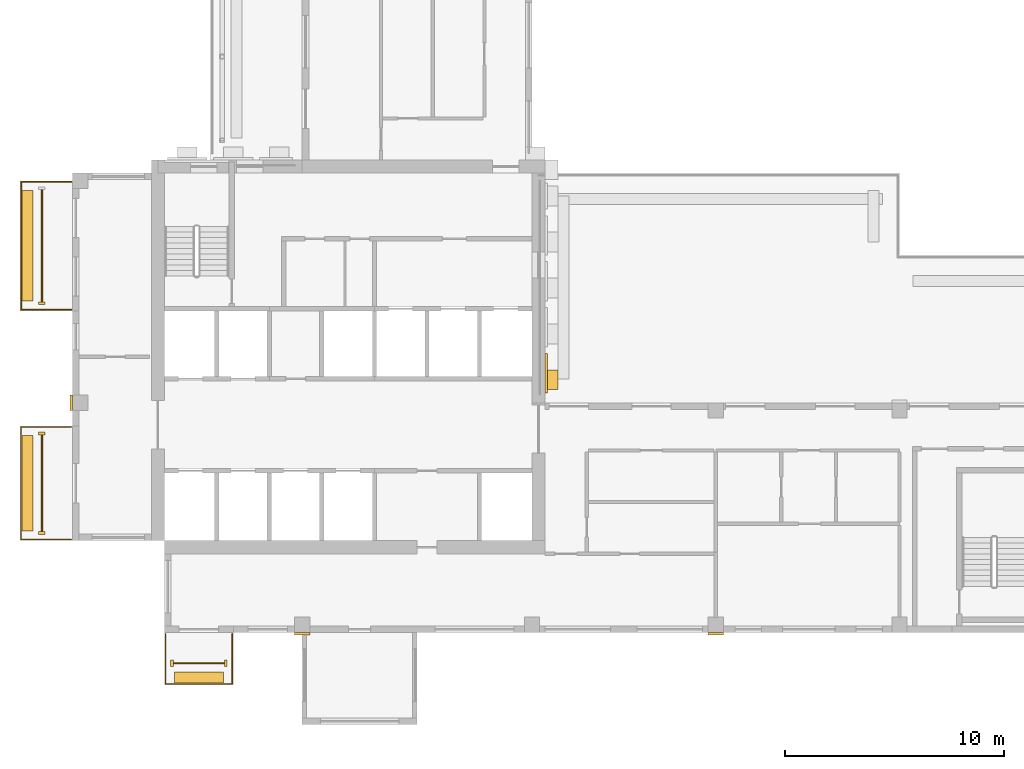
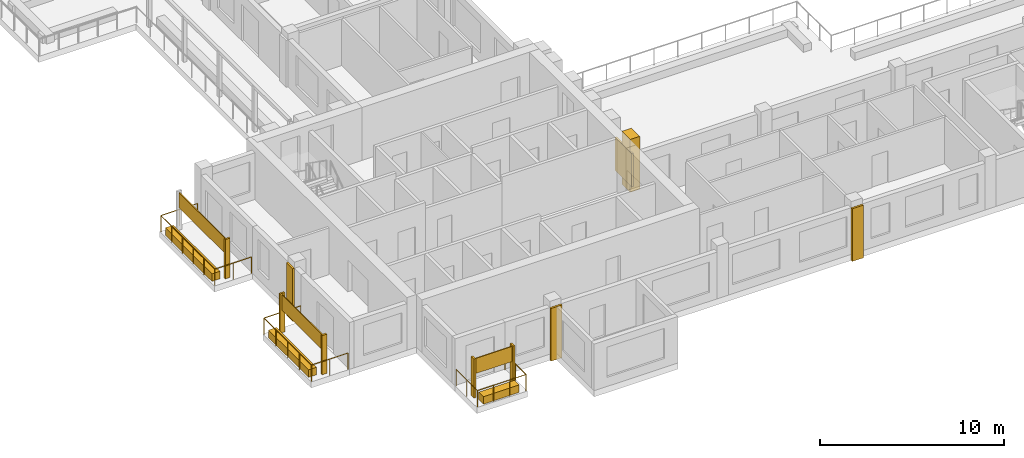
# One storey, part 8 of 12: 16 coverings, 3 railings.
"""IFC4 building model written with IfcOpenShell, lengths in metres."""

from ifc_helpers import new_model, si_unit, direction, frame, origin, origin_2d, place, context, subcontext, project, spatial, rectangle, circle, extrude, source, transform, mapped, material, type_object, element, save


model = new_model("IFC4")

# Units and contexts
model_context = context("Model", 3, precision=1e-05, world=origin(), true_north=direction((0.0, 1.0)))
body_context = subcontext(model_context, "Body", "Model", "MODEL_VIEW")
ifc_project = project(units=[si_unit("LENGTHUNIT", "METRE"), si_unit("AREAUNIT", "SQUARE_METRE"), si_unit("VOLUMEUNIT", "CUBIC_METRE"), si_unit("PLANEANGLEUNIT", "RADIAN"), si_unit("MASSUNIT", "GRAM", prefix="KILO")], contexts=[model_context])

# Site, building, storey
site_placement = place(None, origin())
site = spatial("IfcSite", under=ifc_project, at=site_placement, CompositionType="ELEMENT")
building_placement = place(site_placement, origin())
building = spatial("IfcBuilding", under=site, at=building_placement, Name="Aurelian Terraces", CompositionType="ELEMENT")
storey_placement = place(building_placement, frame((0.0, 0.0, 284.5)))
storey = spatial("IfcBuildingStorey", under=building, at=storey_placement, Name="L64", CompositionType="ELEMENT", Elevation=284.5)

# Coverings
ifc_material_1 = material(Name="Terracotta rainscreen cladding relief", Category="masonry")
covering_type_1 = type_object("IfcCoveringType", Name="BAGUETTE-TC", PredefinedType="CLADDING", material=ifc_material_1)
covering_1_placement = place(storey_placement, frame((10.5, -0.06, -0.4), z_axis=(0.0, 0.0, 1.0), x_axis=(1.0, 0.0, 0.0)))
element("IfcCovering", 1, at=covering_1_placement, inside=storey, type_object=covering_type_1, Name="BAGUETTE pier L64 1", PredefinedType="CLADDING", context=body_context, shape_type="SweptSolid", body=[
    extrude(rectangle(XDim=0.7, YDim=0.12, at=origin_2d()), origin(), (0.0, 0.0, 1.0), 3.5),
])
covering_2_placement = place(storey_placement, frame((-0.06, 10.5, -0.4), z_axis=(0.0, 0.0, 1.0), x_axis=(1.0, 0.0, 0.0)))
element("IfcCovering", 2, at=covering_2_placement, inside=storey, type_object=covering_type_1, Name="BAGUETTE pier L64 5", PredefinedType="CLADDING", context=body_context, shape_type="SweptSolid", body=[
    extrude(rectangle(XDim=0.12, YDim=0.7, at=origin_2d()), origin(), (0.0, 0.0, 1.0), 3.5),
])
covering_type_2 = type_object("IfcCoveringType", Name="Core spine pier 900x600", PredefinedType="CLADDING", material=ifc_material_1)
covering_3_placement = place(storey_placement, frame((21.9, 11.55, 0.0), z_axis=(0.0, 0.0, 1.0), x_axis=(1.0, 0.0, 0.0)))
element("IfcCovering", 3, at=covering_3_placement, inside=storey, type_object=covering_type_2, Name="Spine pier L64 E1", PredefinedType="CLADDING", context=body_context, shape_type="SweptSolid", body=[
    extrude(rectangle(XDim=0.6, YDim=0.9, at=origin_2d()), origin(), (0.0, 0.0, 1.0), 3.5),
])

# Railing
ifc_material_2 = material(Name="Anodised aluminium", Category="aluminium")
railing_type = type_object("IfcRailingType", Name="GUARD-1100", PredefinedType="GUARDRAIL", material=ifc_material_2)
railing_1_placement = place(storey_placement, frame((-0.05, 20.6, 0.0)))
element("IfcRailing", 4, at=railing_1_placement, inside=storey, type_object=railing_type, Name="Balcony guard L64 F12.21", PredefinedType="GUARDRAIL", context=body_context, shape_type="SweptSolid", body=[
    extrude(circle(Radius=0.024, at=origin_2d()), frame((0.0, 0.0, 1.076), z_axis=(-1.0, 0.0, 0.0), x_axis=(0.0, -1.0, 0.0)), (0.0, 0.0, 1.0), 2.3),
    extrude(circle(Radius=0.024, at=origin_2d()), frame((-2.3, 0.0, 1.076), z_axis=(0.0, -1.0, 0.0), x_axis=(1.0, 0.0, 0.0)), (0.0, 0.0, 1.0), 5.85),
    extrude(circle(Radius=0.024, at=origin_2d()), frame((-2.3, -5.85, 1.076), z_axis=(1.0, 0.0, 0.0), x_axis=(0.0, 1.0, 0.0)), (0.0, 0.0, 1.0), 2.3),
    extrude(circle(Radius=0.021, at=origin_2d()), origin(), (0.0, 0.0, 1.0), 1.052),
    extrude(circle(Radius=0.021, at=origin_2d()), frame((-1.15, 0.0, 0.0)), (0.0, 0.0, 1.0), 1.052),
    extrude(circle(Radius=0.021, at=origin_2d()), frame((-2.3, 0.0, 0.0)), (0.0, 0.0, 1.0), 1.052),
    extrude(circle(Radius=0.021, at=origin_2d()), frame((-2.3, -1.17, 0.0)), (0.0, 0.0, 1.0), 1.052),
    extrude(circle(Radius=0.021, at=origin_2d()), frame((-2.3, -2.34, 0.0)), (0.0, 0.0, 1.0), 1.052),
    extrude(circle(Radius=0.021, at=origin_2d()), frame((-2.3, -3.51, 0.0)), (0.0, 0.0, 1.0), 1.052),
    extrude(circle(Radius=0.021, at=origin_2d()), frame((-2.3, -4.68, 0.0)), (0.0, 0.0, 1.0), 1.052),
    extrude(circle(Radius=0.021, at=origin_2d()), frame((-2.3, -5.85, 0.0)), (0.0, 0.0, 1.0), 1.052),
    extrude(circle(Radius=0.021, at=origin_2d()), frame((-1.15, -5.85, 0.0)), (0.0, 0.0, 1.0), 1.052),
    extrude(circle(Radius=0.021, at=origin_2d()), frame((0.0, -5.85, 0.0)), (0.0, 0.0, 1.0), 1.052),
])

# Coverings
ifc_material_3 = material(Name="Terracotta rainscreen cladding louvre blades", Category="masonry")
covering_type_3 = type_object("IfcCoveringType", Name="LOUVRE-TC", PredefinedType="CLADDING", material=ifc_material_3)
covering_4_placement = place(storey_placement, frame((21.66, 11.85, 0.45), z_axis=(0.0, 0.0, 1.0), x_axis=(1.0, 0.0, 0.0)))
element("IfcCovering", 5, at=covering_4_placement, inside=storey, type_object=covering_type_3, Name="LOUVRE L64 core face E.1", PredefinedType="CLADDING", context=body_context, shape_type="SweptSolid", body=[
    extrude(rectangle(XDim=0.12, YDim=1.8, at=origin_2d()), origin(), (0.0, 0.0, 1.0), 2.2),
])
ifc_material_4 = material(Name="Terracotta planter with planting soil", Category="masonry")
covering_type_4 = type_object("IfcCoveringType", Name="PLANTER-TROUGH", PredefinedType="USERDEFINED", material=ifc_material_4)
covering_5_placement = place(storey_placement, frame((-2.05, 17.675, 0.0), z_axis=(0.0, 0.0, 1.0), x_axis=(1.0, 0.0, 0.0)))
element("IfcCovering", 6, at=covering_5_placement, inside=storey, type_object=covering_type_4, Name="PLANTER L64 L64-F12-21", ObjectType="PLANTER", PredefinedType="USERDEFINED", context=body_context, shape_type="SweptSolid", body=[
    extrude(rectangle(XDim=0.5, YDim=5.05, at=origin_2d()), origin(), (0.0, 0.0, 1.0), 0.5),
])
ifc_material_5 = material(Name="Terracotta rainscreen cladding", Category="masonry")
covering_type_5 = type_object("IfcCoveringType", Name="SCREEN-TC", PredefinedType="CLADDING", material=ifc_material_5)
covering_6_placement = place(storey_placement, frame((-1.4, 17.675, 1.5), z_axis=(0.0, 0.0, 1.0), x_axis=(1.0, 0.0, 0.0)))
element("IfcCovering", 7, at=covering_6_placement, inside=storey, type_object=covering_type_5, Name="SCREEN L64 L64-F12-21", PredefinedType="CLADDING", context=body_context, shape_type="SweptSolid", body=[
    extrude(rectangle(XDim=0.06, YDim=5.13, at=origin_2d()), origin(), (0.0, 0.0, 1.0), 1.0),
])
covering_type_6 = type_object("IfcCoveringType", Name="FIN-TC", PredefinedType="CLADDING", material=ifc_material_1)
shared_shape_1 = source(origin(), body_context, "Body", "SweptSolid", [
    extrude(rectangle(XDim=0.3, YDim=0.12, at=origin_2d()), origin(), (0.0, 0.0, 1.0), 2.6),
])
for number, where, z_axis, x_axis, name in (
    (8, (-1.4, 15.05, 0.0), (0.0, 0.0, 1.0), (1.0, 0.0, 0.0), "FIN L64 L64-F12-21.2"),
    (9, (-1.4, 9.1, 0.0), (0.0, 0.0, 1.0), (1.0, 0.0, 0.0), "FIN L64 L64-F12-23.1"),
    (10, (-1.4, 4.55, 0.0), (0.0, 0.0, 1.0), (1.0, 0.0, 0.0), "FIN L64 L64-F12-23.2"),
):
    element("IfcCovering", number, at=place(storey_placement, frame(where, z_axis=z_axis, x_axis=x_axis)), inside=storey, type_object=covering_type_6, Name=name, PredefinedType="CLADDING", context=body_context, shape_type="MappedRepresentation", body=[
        mapped(shared_shape_1, transform((0.0, 0.0, 0.0), scale=1.0)),
    ])
shared_shape_2 = source(origin(), body_context, "Body", "SweptSolid", [
    extrude(rectangle(XDim=0.12, YDim=0.3, at=origin_2d()), origin(), (0.0, 0.0, 1.0), 2.6),
])
for number, where, z_axis, x_axis, name in (
    (11, (4.55, -1.4, 0.0), (0.0, 0.0, 1.0), (1.0, 0.0, 0.0), "FIN L64 L64-F01-01.1"),
    (12, (7.0, -1.4, 0.0), (0.0, 0.0, 1.0), (1.0, 0.0, 0.0), "FIN L64 L64-F01-01.2"),
):
    element("IfcCovering", number, at=place(storey_placement, frame(where, z_axis=z_axis, x_axis=x_axis)), inside=storey, type_object=covering_type_6, Name=name, PredefinedType="CLADDING", context=body_context, shape_type="MappedRepresentation", body=[
        mapped(shared_shape_2, transform((0.0, 0.0, 0.0), scale=1.0)),
    ])

# Railing
shared_shape_3 = source(origin(), body_context, "Body", "SweptSolid", [
    extrude(circle(Radius=0.024, at=origin_2d()), frame((0.0, 0.0, 1.076), z_axis=(-1.0, 0.0, 0.0), x_axis=(0.0, -1.0, 0.0)), (0.0, 0.0, 1.0), 2.3),
    extrude(circle(Radius=0.024, at=origin_2d()), frame((-2.3, 0.0, 1.076), z_axis=(0.0, -1.0, 0.0), x_axis=(1.0, 0.0, 0.0)), (0.0, 0.0, 1.0), 5.15),
    extrude(circle(Radius=0.024, at=origin_2d()), frame((-2.3, -5.15, 1.076), z_axis=(1.0, 0.0, 0.0), x_axis=(0.0, 1.0, 0.0)), (0.0, 0.0, 1.0), 2.3),
    extrude(circle(Radius=0.021, at=origin_2d()), origin(), (0.0, 0.0, 1.0), 1.052),
    extrude(circle(Radius=0.021, at=origin_2d()), frame((-1.15, 0.0, 0.0)), (0.0, 0.0, 1.0), 1.052),
    extrude(circle(Radius=0.021, at=origin_2d()), frame((-2.3, 0.0, 0.0)), (0.0, 0.0, 1.0), 1.052),
    extrude(circle(Radius=0.021, at=origin_2d()), frame((-2.3, -1.2875, 0.0)), (0.0, 0.0, 1.0), 1.052),
    extrude(circle(Radius=0.021, at=origin_2d()), frame((-2.3, -2.575, 0.0)), (0.0, 0.0, 1.0), 1.052),
    extrude(circle(Radius=0.021, at=origin_2d()), frame((-2.3, -3.8625, 0.0)), (0.0, 0.0, 1.0), 1.052),
    extrude(circle(Radius=0.021, at=origin_2d()), frame((-2.3, -5.15, 0.0)), (0.0, 0.0, 1.0), 1.052),
    extrude(circle(Radius=0.021, at=origin_2d()), frame((-1.15, -5.15, 0.0)), (0.0, 0.0, 1.0), 1.052),
    extrude(circle(Radius=0.021, at=origin_2d()), frame((0.0, -5.15, 0.0)), (0.0, 0.0, 1.0), 1.052),
])
railing_2_placement = place(storey_placement, frame((-0.05, 9.4, 0.0)))
element("IfcRailing", 13, at=railing_2_placement, inside=storey, type_object=railing_type, Name="Balcony guard L64 F12.23", PredefinedType="GUARDRAIL", context=body_context, shape_type="MappedRepresentation", body=[
    mapped(shared_shape_3, transform((0.0, 0.0, 0.0), scale=1.0)),
])

# Coverings
shared_shape_4 = source(origin(), body_context, "Body", "SweptSolid", [
    extrude(rectangle(XDim=0.5, YDim=4.35, at=origin_2d()), origin(), (0.0, 0.0, 1.0), 0.5),
])
covering_7_placement = place(storey_placement, frame((-2.05, 6.825, 0.0), z_axis=(0.0, 0.0, 1.0), x_axis=(1.0, 0.0, 0.0)))
element("IfcCovering", 14, at=covering_7_placement, inside=storey, type_object=covering_type_4, Name="PLANTER L64 L64-F12-23", ObjectType="PLANTER", PredefinedType="USERDEFINED", context=body_context, shape_type="MappedRepresentation", body=[
    mapped(shared_shape_4, transform((0.0, 0.0, 0.0), scale=1.0)),
])
shared_shape_5 = source(origin(), body_context, "Body", "SweptSolid", [
    extrude(rectangle(XDim=0.06, YDim=4.43, at=origin_2d()), origin(), (0.0, 0.0, 1.0), 1.0),
])
covering_8_placement = place(storey_placement, frame((-1.4, 6.825, 1.5), z_axis=(0.0, 0.0, 1.0), x_axis=(1.0, 0.0, 0.0)))
element("IfcCovering", 15, at=covering_8_placement, inside=storey, type_object=covering_type_5, Name="SCREEN L64 L64-F12-23", PredefinedType="CLADDING", context=body_context, shape_type="MappedRepresentation", body=[
    mapped(shared_shape_5, transform((0.0, 0.0, 0.0), scale=1.0)),
])

# Railing
shared_shape_6 = source(origin(), body_context, "Body", "SweptSolid", [
    extrude(circle(Radius=0.024, at=origin_2d()), frame((0.0, 0.0, 1.076), z_axis=(0.0, -1.0, 0.0), x_axis=(1.0, 0.0, 0.0)), (0.0, 0.0, 1.0), 2.3),
    extrude(circle(Radius=0.024, at=origin_2d()), frame((0.0, -2.3, 1.076), z_axis=(1.0, 0.0, 0.0), x_axis=(0.0, 1.0, 0.0)), (0.0, 0.0, 1.0), 3.05),
    extrude(circle(Radius=0.024, at=origin_2d()), frame((3.05, -2.3, 1.076), z_axis=(0.0, 1.0, 0.0), x_axis=(-1.0, 0.0, 0.0)), (0.0, 0.0, 1.0), 2.3),
    extrude(circle(Radius=0.021, at=origin_2d()), origin(), (0.0, 0.0, 1.0), 1.052),
    extrude(circle(Radius=0.021, at=origin_2d()), frame((0.0, -1.15, 0.0)), (0.0, 0.0, 1.0), 1.052),
    extrude(circle(Radius=0.021, at=origin_2d()), frame((0.0, -2.3, 0.0)), (0.0, 0.0, 1.0), 1.052),
    extrude(circle(Radius=0.021, at=origin_2d()), frame((1.0167, -2.3, 0.0)), (0.0, 0.0, 1.0), 1.052),
    extrude(circle(Radius=0.021, at=origin_2d()), frame((2.0333, -2.3, 0.0)), (0.0, 0.0, 1.0), 1.052),
    extrude(circle(Radius=0.021, at=origin_2d()), frame((3.05, -2.3, 0.0)), (0.0, 0.0, 1.0), 1.052),
    extrude(circle(Radius=0.021, at=origin_2d()), frame((3.05, -1.15, 0.0)), (0.0, 0.0, 1.0), 1.052),
    extrude(circle(Radius=0.021, at=origin_2d()), frame((3.05, 0.0, 0.0)), (0.0, 0.0, 1.0), 1.052),
])
railing_3_placement = place(storey_placement, frame((4.25, -0.05, 0.0)))
element("IfcRailing", 16, at=railing_3_placement, inside=storey, type_object=railing_type, Name="Balcony guard L64 F01.1", PredefinedType="GUARDRAIL", context=body_context, shape_type="MappedRepresentation", body=[
    mapped(shared_shape_6, transform((0.0, 0.0, 0.0), scale=1.0)),
])

# Coverings
shared_shape_7 = source(origin(), body_context, "Body", "SweptSolid", [
    extrude(rectangle(XDim=2.25, YDim=0.5, at=origin_2d()), origin(), (0.0, 0.0, 1.0), 0.5),
])
covering_9_placement = place(storey_placement, frame((5.775, -2.05, 0.0), z_axis=(0.0, 0.0, 1.0), x_axis=(1.0, 0.0, 0.0)))
element("IfcCovering", 17, at=covering_9_placement, inside=storey, type_object=covering_type_4, Name="PLANTER L64 L64-F01-01", ObjectType="PLANTER", PredefinedType="USERDEFINED", context=body_context, shape_type="MappedRepresentation", body=[
    mapped(shared_shape_7, transform((0.0, 0.0, 0.0), scale=1.0)),
])
shared_shape_8 = source(origin(), body_context, "Body", "SweptSolid", [
    extrude(rectangle(XDim=2.33, YDim=0.06, at=origin_2d()), origin(), (0.0, 0.0, 1.0), 1.0),
])
covering_10_placement = place(storey_placement, frame((5.775, -1.4, 1.5), z_axis=(0.0, 0.0, 1.0), x_axis=(1.0, 0.0, 0.0)))
element("IfcCovering", 18, at=covering_10_placement, inside=storey, type_object=covering_type_5, Name="SCREEN L64 L64-F01-01", PredefinedType="CLADDING", context=body_context, shape_type="MappedRepresentation", body=[
    mapped(shared_shape_8, transform((0.0, 0.0, 0.0), scale=1.0)),
])
shared_shape_9 = source(origin(), body_context, "Body", "SweptSolid", [
    extrude(rectangle(XDim=0.7, YDim=0.12, at=origin_2d()), origin(), (0.0, 0.0, 1.0), 3.5),
])
covering_11_placement = place(storey_placement, frame((29.4, -0.06, -0.4), z_axis=(0.0, 0.0, 1.0), x_axis=(1.0, 0.0, 0.0)))
element("IfcCovering", 19, at=covering_11_placement, inside=storey, type_object=covering_type_1, Name="BAGUETTE pier L64 2", PredefinedType="CLADDING", context=body_context, shape_type="MappedRepresentation", body=[
    mapped(shared_shape_9, transform((0.0, 0.0, 0.0), scale=1.0)),
])

save(model, "model.ifc")
